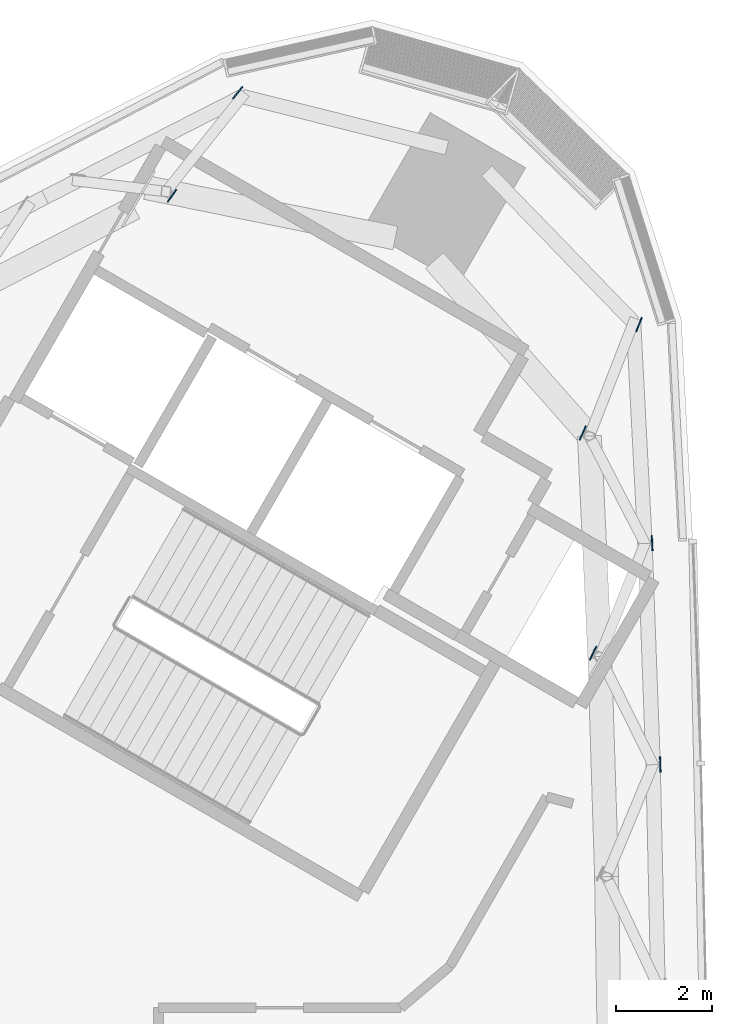
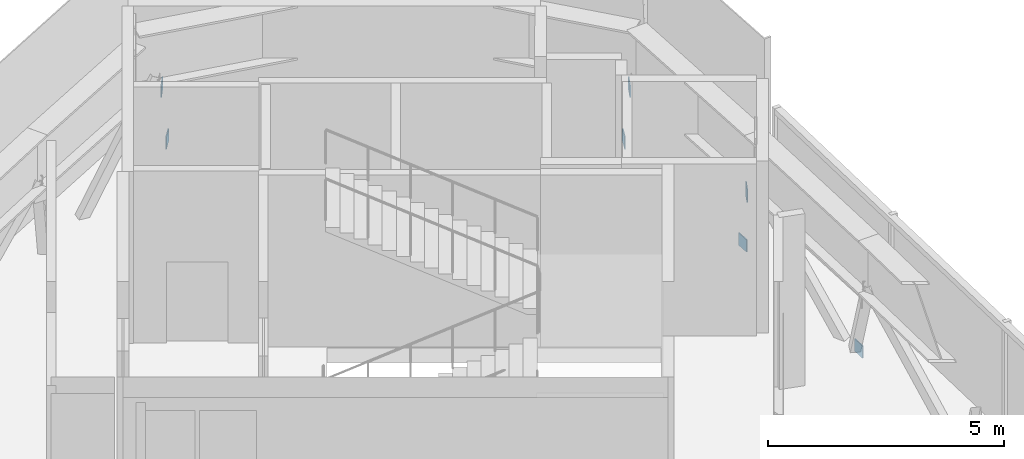
# One storey, part 11 of 18: 7 plates.
"""IFC4 building model written with IfcOpenShell, lengths in metres."""

from ifc_helpers import new_model, si_unit, direction, frame, origin, origin_2d, place, context, subcontext, project, spatial, rectangle, extrude, material, layer, layer_set, type_object, element, save


model = new_model("IFC4")

# Units and contexts
model_context = context("Model", 3, precision=1e-05, world=origin(), true_north=direction((0.0, 1.0)))
body_context = subcontext(model_context, "Body", "Model", "MODEL_VIEW")
ifc_project = project(units=[si_unit("LENGTHUNIT", "METRE"), si_unit("AREAUNIT", "SQUARE_METRE"), si_unit("VOLUMEUNIT", "CUBIC_METRE"), si_unit("PLANEANGLEUNIT", "RADIAN"), si_unit("MASSUNIT", "GRAM", prefix="KILO")], contexts=[model_context])

# Site, building, storey
site_placement = place(None, origin())
site = spatial("IfcSite", under=ifc_project, at=site_placement, CompositionType="ELEMENT")
building_placement = place(site_placement, origin())
building = spatial("IfcBuilding", under=site, at=building_placement, Name="Tamra Quay Hotel Tower", CompositionType="ELEMENT")
storey_placement = place(building_placement, frame((0.0, 0.0, 257.39990234375)))
storey = spatial("IfcBuildingStorey", under=building, at=storey_placement, Name="L65", CompositionType="ELEMENT", Elevation=257.39990234375)

# Plates
ifc_material = material(Name="Structural steel IS 2062 E350", Category="steel")
ifc_layer = layer(ifc_material, 0.02490234375)
ifc_layer_set = layer_set([ifc_layer], Name="BRACE END PLATE 25")
plate_type = type_object("IfcPlateType", Name="BRACE END PLATE 25", PredefinedType="SHEET", material=ifc_layer_set)
for number, where, z_axis, x_axis, name in (
    (1, (16.68310546875, 9.25439453125, -0.39990234375), (0.0, 0.0, 1.0), (0.999489251902, 0.03195677286, 0.0), "BEP-L65-006"),
    (2, (16.51318359375, 13.87890625, -0.39990234375), (0.0, 0.0, 1.0), (0.998855075759, 0.04783866251, 0.0), "BEP-L65-007"),
    (3, (16.23974609375, 18.446533203125, -0.39990234375), (0.0, 0.0, 1.0), (-0.932034434875, 0.362369717565, 0.0), "BEP-L65-008"),
    (4, (7.85546875, 23.287353515625, -0.39990234375), (0.0, 0.0, 1.0), (-0.779837505867, 0.625982000095, 0.0), "BEP-L65-009"),
    (5, (15.280517578125, 11.578857421875, 2.72998046875), (0.0, 0.0, 1.0), (-0.907598768217, 0.419838630823, 0.0), "BEP-L65-037"),
    (6, (15.06396484375, 16.178466796875, 2.72998046875), (0.0, 0.0, 1.0), (-0.913874546705, 0.405996690731, 0.0), "BEP-L65-038"),
    (7, (6.482666015625, 21.136474609375, 2.72998046875), (0.0, 0.0, 1.0), (-0.821016707961, 0.570904164679, 0.0), "BEP-L65-039"),
):
    element("IfcPlate", number, at=place(storey_placement, frame(where, z_axis=z_axis, x_axis=x_axis)), inside=storey, type_object=plate_type, Name=name, PredefinedType="SHEET", context=body_context, shape_type="SweptSolid", body=[
        extrude(rectangle(XDim=0.02490234375, YDim=0.320068359375, at=origin_2d()), origin(), (0.0, 0.0, 1.0), 0.320068359375),
    ])

save(model, "model.ifc")
